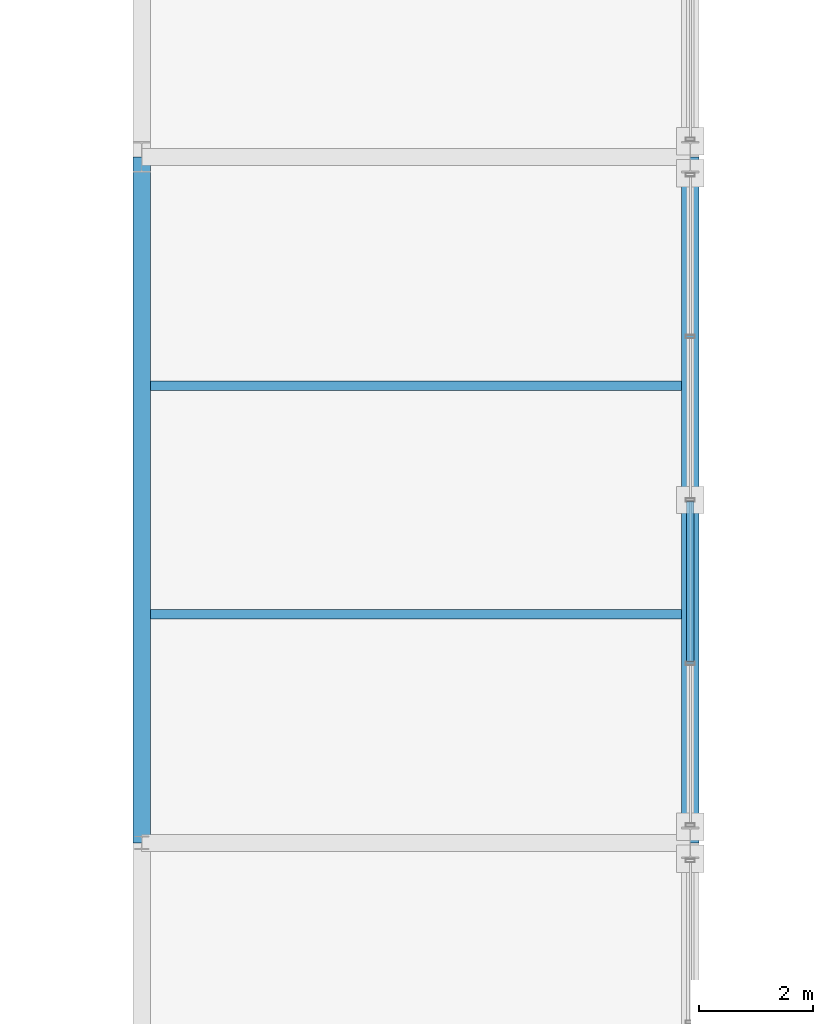
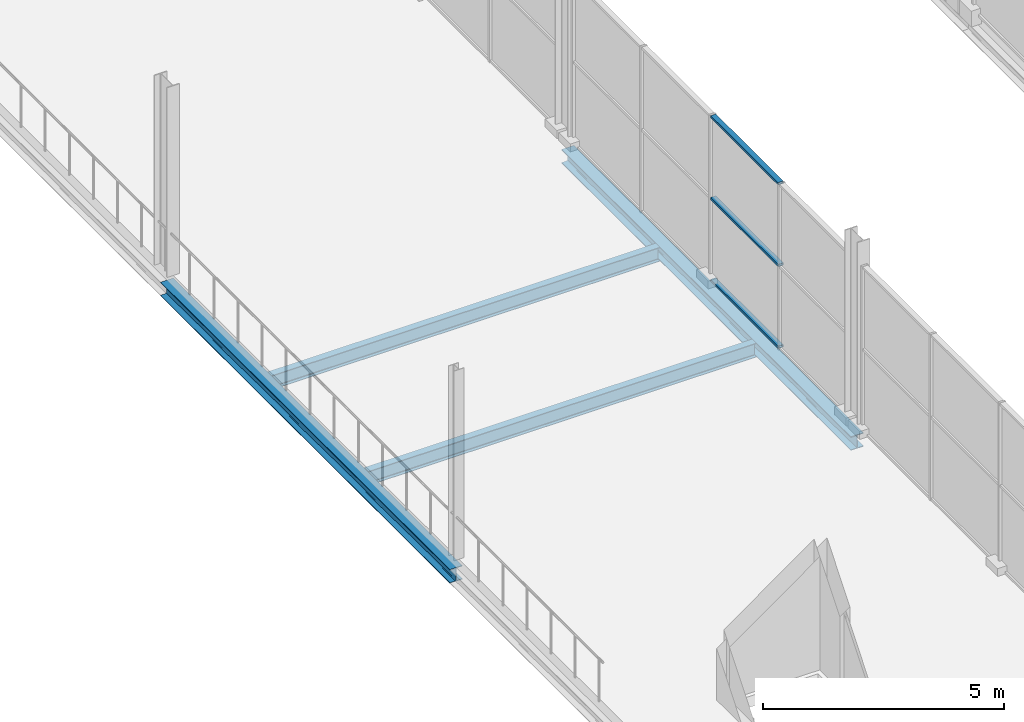
# One storey, part 72 of 159: 4 beams, 3 members, 1 element without a shape of its own.
"""IFC4 building model written with IfcOpenShell, lengths in metres."""

from ifc_helpers import new_model, si_unit, direction, frame, origin, origin_2d, place, context, subcontext, project, spatial, hollow_rectangle, i_section, extrude, material, material_profile, profile_set, type_object, element, aggregate, save


model = new_model("IFC4")

# Units and contexts
model_context = context("Model", 3, precision=1e-05, world=origin(), true_north=direction((0.0, 1.0)))
body_context = subcontext(model_context, "Body", "Model", "MODEL_VIEW")
ifc_project = project(units=[si_unit("LENGTHUNIT", "METRE"), si_unit("AREAUNIT", "SQUARE_METRE"), si_unit("VOLUMEUNIT", "CUBIC_METRE"), si_unit("PLANEANGLEUNIT", "RADIAN"), si_unit("MASSUNIT", "GRAM", prefix="KILO")], contexts=[model_context])

# Site, building, storey
site_placement = place(None, origin())
site = spatial("IfcSite", under=ifc_project, at=site_placement, CompositionType="ELEMENT")
building_placement = place(site_placement, origin())
building = spatial("IfcBuilding", under=site, at=building_placement, Name="Merenkruunu Market Hall", CompositionType="ELEMENT")
storey_placement = place(building_placement, frame((0.0, 0.0, 5.39990234375)))
storey = spatial("IfcBuildingStorey", under=building, at=storey_placement, Name="L01", CompositionType="ELEMENT", Elevation=5.39990234375)

# Curtain wall, members
ifc_material_1 = material(Name="Powder-coated aluminium", Category="aluminium")
curtain_wall_type = type_object("IfcCurtainWallType", Name="Glazed Curtain Wall CW15", PredefinedType="USERDEFINED", material=ifc_material_1)
curtain_wall_placement = place(storey_placement, origin())
curtain_wall = element("IfcCurtainWall", 1, at=curtain_wall_placement, inside=storey, type_object=curtain_wall_type, Name="CW-L01-CWM01-134", ObjectType="GLAZED_FACADE", PredefinedType="USERDEFINED")
ifc_material_profile_1 = material_profile(ifc_material_1, hollow_rectangle(XDim=0.06005859375, YDim=0.125, WallThickness=0.00390625, at=origin_2d()), Name="ALU 60x125x4")
ifc_profile_set_1 = profile_set([ifc_material_profile_1], Name="Powder-coated aluminium")
member_type = type_object("IfcMemberType", Name="Curtain Wall Transom CWT01", PredefinedType="USERDEFINED", material=ifc_profile_set_1)
member_1_placement = place(storey_placement, frame((57.60009765625, 78.77001953125, 0.030029296875), z_axis=(0.0, 1.0, 0.0), x_axis=(0.0, 0.0, 1.0)))
member_1 = element("IfcMember", 2, at=member_1_placement, type_object=member_type, Name="CW15 transom 2.1", ObjectType="TRANSOM", PredefinedType="USERDEFINED", context=body_context, shape_type="SweptSolid", body=[
    extrude(hollow_rectangle(XDim=0.06005859375, YDim=0.125, WallThickness=0.00390625, at=origin_2d()), origin(), (0.0, 0.0, 1.0), 2.800048828125),
])
member_2_placement = place(storey_placement, frame((57.60009765625, 78.77001953125, 2.10009765625), z_axis=(0.0, 1.0, 0.0), x_axis=(0.0, 0.0, 1.0)))
member_2 = element("IfcMember", 3, at=member_2_placement, type_object=member_type, Name="CW15 transom 2.2", ObjectType="TRANSOM", PredefinedType="USERDEFINED", context=body_context, shape_type="SweptSolid", body=[
    extrude(hollow_rectangle(XDim=0.06005859375, YDim=0.125, WallThickness=0.00390625, at=origin_2d()), origin(), (0.0, 0.0, 1.0), 2.800048828125),
])
member_3_placement = place(storey_placement, frame((57.60009765625, 78.77001953125, 4.170166015625), z_axis=(0.0, 1.0, 0.0), x_axis=(0.0, 0.0, 1.0)))
member_3 = element("IfcMember", 4, at=member_3_placement, type_object=member_type, Name="CW15 transom 2.3", ObjectType="TRANSOM", PredefinedType="USERDEFINED", context=body_context, shape_type="SweptSolid", body=[
    extrude(hollow_rectangle(XDim=0.06005859375, YDim=0.125, WallThickness=0.00390625, at=origin_2d()), origin(), (0.0, 0.0, 1.0), 2.800048828125),
])
aggregate(curtain_wall, [member_1, member_2, member_3])

# Beams
ifc_material_2 = material(Name="Steel S355J2", Category="steel")
ifc_material_profile_2 = material_profile(ifc_material_2, i_section(OverallWidth=0.300048828125, OverallDepth=0.35009765625, WebThickness=0.010009765625, FlangeThickness=0.017578125, FilletRadius=0.027099609375, at=origin_2d()), Name="HEA 360")
ifc_profile_set_2 = profile_set([ifc_material_profile_2], Name="Steel S355J2")
beam_type_1 = type_object("IfcBeamType", Name="Primary Floor Girder B08", PredefinedType="BEAM", material=ifc_profile_set_2)
for number, where, z_axis, x_axis, name in (
    (5, (48.0, 75.60009765625, -0.454833984375), (0.0, 1.0, 0.0), (-1.0, 0.0, 0.0), "BM-L01-B08-0577"),
    (6, (57.60009765625, 75.60009765625, -0.454833984375), (0.0, 1.0, 0.0), (-1.0, 0.0, 0.0), "BM-L01-B08-0586"),
):
    element("IfcBeam", number, at=place(storey_placement, frame(where, z_axis=z_axis, x_axis=x_axis)), inside=storey, type_object=beam_type_1, Name=name, PredefinedType="BEAM", context=body_context, shape_type="SweptSolid", body=[
        extrude(i_section(OverallWidth=0.300048828125, OverallDepth=0.35009765625, WebThickness=0.010009765625, FlangeThickness=0.017578125, FilletRadius=0.027099609375, at=origin_2d()), origin(), (0.0, 0.0, 1.0), 12.0),
    ])
ifc_material_profile_3 = material_profile(ifc_material_2, i_section(OverallWidth=0.169921875, OverallDepth=0.360107421875, WebThickness=0.008056640625, FlangeThickness=0.0126953125, FilletRadius=0.01806640625, at=origin_2d()), Name="IPE 360")
ifc_profile_set_3 = profile_set([ifc_material_profile_3], Name="Steel S355J2")
beam_type_2 = type_object("IfcBeamType", Name="Secondary Floor Joist J03", PredefinedType="JOIST", material=ifc_profile_set_3)
for number, where, z_axis, x_axis, name in (
    (7, (48.153076171875, 79.60009765625, -0.4599609375), (1.0, 0.0, 0.0), (0.0, 1.0, 0.0), "BM-L01-J03-0670"),
    (8, (48.153076171875, 83.60009765625, -0.4599609375), (1.0, 0.0, 0.0), (0.0, 1.0, 0.0), "BM-L01-J03-0671"),
):
    element("IfcBeam", number, at=place(storey_placement, frame(where, z_axis=z_axis, x_axis=x_axis)), inside=storey, type_object=beam_type_2, Name=name, PredefinedType="JOIST", context=body_context, shape_type="SweptSolid", body=[
        extrude(i_section(OverallWidth=0.169921875, OverallDepth=0.360107421875, WebThickness=0.008056640625, FlangeThickness=0.0126953125, FilletRadius=0.01806640625, at=origin_2d()), origin(), (0.0, 0.0, 1.0), 9.2939453125),
    ])

save(model, "model.ifc")
